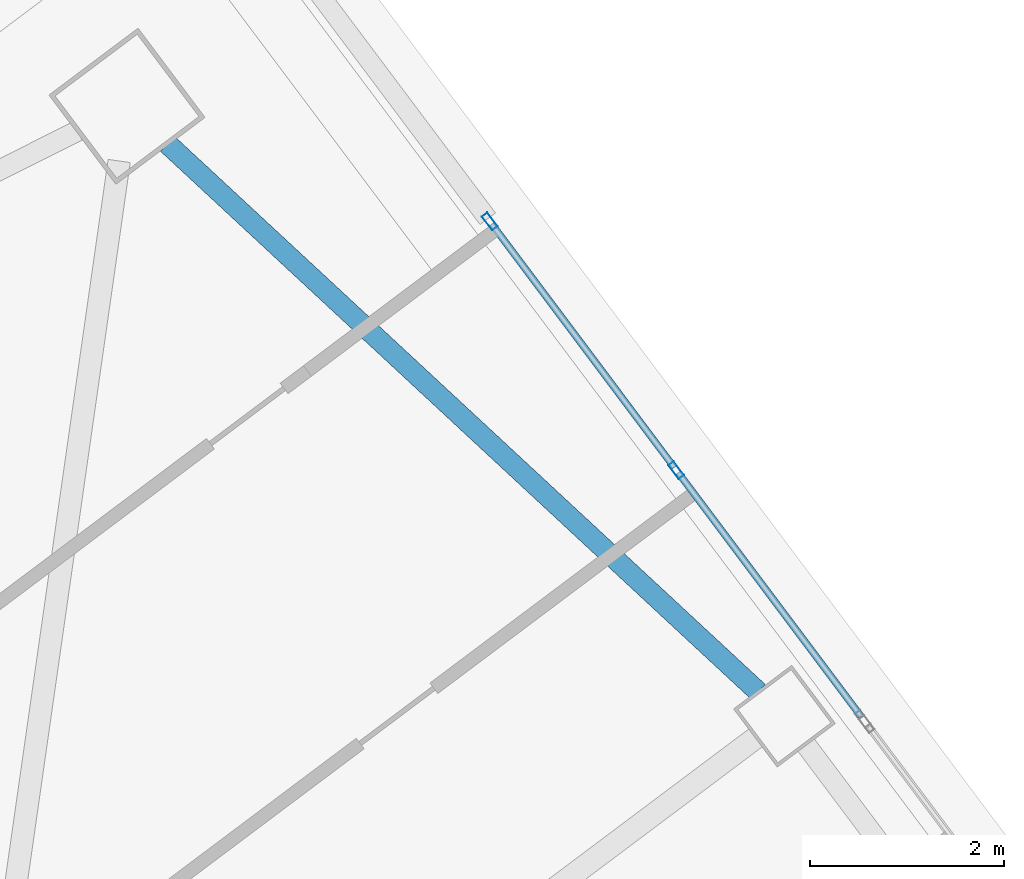
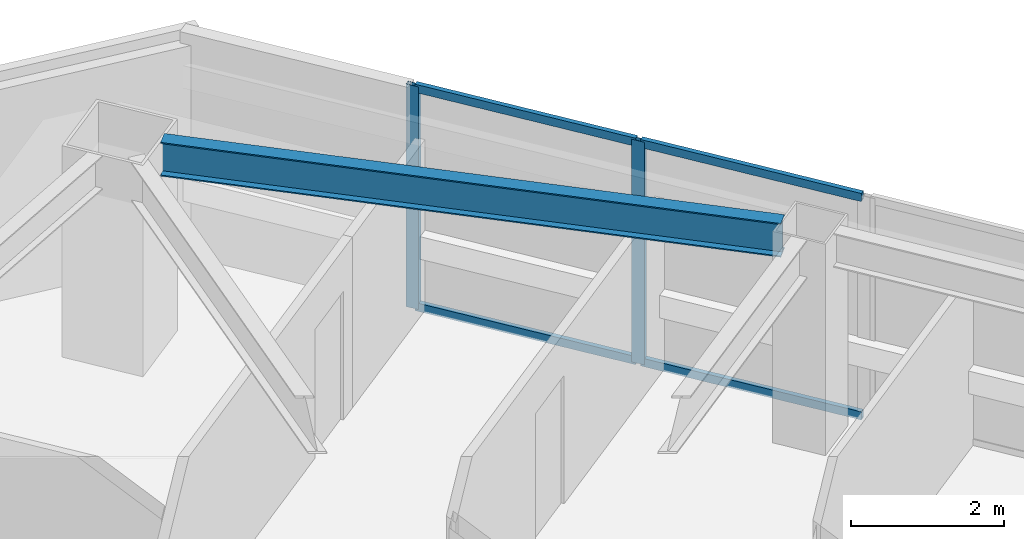
# One storey, part 30 of 43: 6 members, 1 beam, 1 element without a shape of its own.
"""IFC4 building model written with IfcOpenShell, lengths in metres."""

from ifc_helpers import new_model, si_unit, direction, frame, origin, origin_2d, place, context, subcontext, project, spatial, hollow_rectangle, i_section, extrude, material, material_profile, profile_set, type_object, element, aggregate, save


model = new_model("IFC4")

# Units and contexts
model_context = context("Model", 3, precision=1e-05, world=origin(), true_north=direction((0.0, 1.0)))
body_context = subcontext(model_context, "Body", "Model", "MODEL_VIEW")
ifc_project = project(units=[si_unit("LENGTHUNIT", "METRE"), si_unit("AREAUNIT", "SQUARE_METRE"), si_unit("VOLUMEUNIT", "CUBIC_METRE"), si_unit("PLANEANGLEUNIT", "RADIAN"), si_unit("MASSUNIT", "GRAM", prefix="KILO")], contexts=[model_context])

# Site, building, storey
site_placement = place(None, origin())
site = spatial("IfcSite", under=ifc_project, at=site_placement, CompositionType="ELEMENT")
building_placement = place(site_placement, origin())
building = spatial("IfcBuilding", under=site, at=building_placement, Name="Tashvorn Skyway Center", CompositionType="ELEMENT")
storey_placement = place(building_placement, frame((0.0, 0.0, 160.550048828125)))
storey = spatial("IfcBuildingStorey", under=building, at=storey_placement, Name="L43", CompositionType="ELEMENT", Elevation=160.550048828125)

# Beam
ifc_material_1 = material(Name="Steel ASTM A992 Grade 50", Category="steel")
ifc_material_profile_1 = material_profile(ifc_material_1, i_section(OverallWidth=0.2109375, OverallDepth=0.5390625, WebThickness=0.01171875, FlangeThickness=0.018798828125, at=origin_2d()), Name="W21X73")
ifc_profile_set_1 = profile_set([ifc_material_profile_1], Name="Steel ASTM A992 Grade 50")
beam_type = type_object("IfcBeamType", Name="BM-SPANDREL-W21X73", PredefinedType="SPANDREL", material=ifc_profile_set_1)
beam_placement = place(storey_placement, frame((123.40869140625, 46.26171875, 3.100341796875), z_axis=(-0.733101115618, 0.680119661736, 0.0), x_axis=(-0.680119661736, -0.733101115618, 0.0)))
element("IfcBeam", 1, at=beam_placement, inside=storey, type_object=beam_type, Name="Tower 2 L43 Spandrel Beam 06", PredefinedType="SPANDREL", context=body_context, shape_type="SweptSolid", body=[
    extrude(i_section(OverallWidth=0.2109375, OverallDepth=0.5390625, WebThickness=0.01171875, FlangeThickness=0.018798828125, at=origin_2d()), origin(), (0.0, 0.0, 1.0), 8.308349609375),
])

# Curtain wall, members
ifc_material_2 = material(Name="Thermally broken bronze-anodized aluminium 6063-T6", Category="aluminium")
curtain_wall_type = type_object("IfcCurtainWallType", Name="CW-CW-Z4", PredefinedType="NOTDEFINED", material=ifc_material_2)
curtain_wall_placement = place(storey_placement, origin())
curtain_wall = element("IfcCurtainWall", 2, at=curtain_wall_placement, inside=storey, type_object=curtain_wall_type, Name="Tower 2 L43 East Unitised Curtain Wall Glazing Group 1", PredefinedType="NOTDEFINED")
ifc_material_profile_2 = material_profile(ifc_material_2, hollow_rectangle(XDim=0.070068359375, YDim=0.179931640625, WallThickness=0.00390625, at=origin_2d()), Name="ALU-MULL-70x180")
ifc_profile_set_2 = profile_set([ifc_material_profile_2], Name="Thermally broken bronze-anodized aluminium 6063-T6")
member_type_1 = type_object("IfcMemberType", Name="CWM-CW-Z4", PredefinedType="MULLION", material=ifc_profile_set_2)
member_1_placement = place(storey_placement, frame((120.64111328125, 51.112060546875, 0.0), z_axis=(0.0, 0.0, 1.0), x_axis=(0.799999999998, 0.600000000002, 0.0)))
member_1 = element("IfcMember", 3, at=member_1_placement, type_object=member_type_1, Name="CW-Z4 mullion 1", PredefinedType="MULLION", context=body_context, shape_type="SweptSolid", body=[
    extrude(hollow_rectangle(XDim=0.070068359375, YDim=0.179931640625, WallThickness=0.00390625, at=origin_2d()), origin(), (0.0, 0.0, 1.0), 3.550048828125),
])
member_2_placement = place(storey_placement, frame((122.56396484375, 48.548095703125, 0.0), z_axis=(0.0, 0.0, 1.0), x_axis=(0.799999999998, 0.600000000002, 0.0)))
member_2 = element("IfcMember", 4, at=member_2_placement, type_object=member_type_1, Name="CW-Z4 mullion 2", PredefinedType="MULLION", context=body_context, shape_type="SweptSolid", body=[
    extrude(hollow_rectangle(XDim=0.070068359375, YDim=0.179931640625, WallThickness=0.00390625, at=origin_2d()), origin(), (0.0, 0.0, 1.0), 3.550048828125),
])
ifc_material_profile_3 = material_profile(ifc_material_2, hollow_rectangle(XDim=0.070068359375, YDim=0.1298828125, WallThickness=0.00390625, at=origin_2d()), Name="ALU-TRAN-70x130")
ifc_profile_set_3 = profile_set([ifc_material_profile_3], Name="Thermally broken bronze-anodized aluminium 6063-T6")
member_type_2 = type_object("IfcMemberType", Name="CWT-CW-Z4", PredefinedType="USERDEFINED", material=ifc_profile_set_3)
member_3_placement = place(storey_placement, frame((120.662109375, 51.083984375, 0.034912109375), z_axis=(0.599962618496, -0.800028034763, 0.0), x_axis=(0.800028034763, 0.599962618496, 0.0)))
member_3 = element("IfcMember", 5, at=member_3_placement, type_object=member_type_2, Name="CW-Z4 transom 1.1", ObjectType="TRANSOM", PredefinedType="USERDEFINED", context=body_context, shape_type="SweptSolid", body=[
    extrude(hollow_rectangle(XDim=0.070068359375, YDim=0.1298828125, WallThickness=0.00390625, at=origin_2d()), origin(), (0.0, 0.0, 1.0), 3.135009765625),
])
member_4_placement = place(storey_placement, frame((120.662109375, 51.083984375, 3.514892578125), z_axis=(0.599962618496, -0.800028034763, 0.0), x_axis=(0.800028034763, 0.599962618496, 0.0)))
member_4 = element("IfcMember", 6, at=member_4_placement, type_object=member_type_2, Name="CW-Z4 transom 1.2", ObjectType="TRANSOM", PredefinedType="USERDEFINED", context=body_context, shape_type="SweptSolid", body=[
    extrude(hollow_rectangle(XDim=0.070068359375, YDim=0.1298828125, WallThickness=0.00390625, at=origin_2d()), origin(), (0.0, 0.0, 1.0), 3.135009765625),
])
member_5_placement = place(storey_placement, frame((122.5849609375, 48.52001953125, 0.034912109375), z_axis=(0.600012459628, -0.799990655127, 0.0), x_axis=(0.799990655127, 0.600012459628, 0.0)))
member_5 = element("IfcMember", 7, at=member_5_placement, type_object=member_type_2, Name="CW-Z4 transom 2.1", ObjectType="TRANSOM", PredefinedType="USERDEFINED", context=body_context, shape_type="SweptSolid", body=[
    extrude(hollow_rectangle(XDim=0.070068359375, YDim=0.1298828125, WallThickness=0.00390625, at=origin_2d()), origin(), (0.0, 0.0, 1.0), 3.135009765625),
])
member_6_placement = place(storey_placement, frame((122.5849609375, 48.52001953125, 3.514892578125), z_axis=(0.600012459628, -0.799990655127, 0.0), x_axis=(0.799990655127, 0.600012459628, 0.0)))
member_6 = element("IfcMember", 8, at=member_6_placement, type_object=member_type_2, Name="CW-Z4 transom 2.2", ObjectType="TRANSOM", PredefinedType="USERDEFINED", context=body_context, shape_type="SweptSolid", body=[
    extrude(hollow_rectangle(XDim=0.070068359375, YDim=0.1298828125, WallThickness=0.00390625, at=origin_2d()), origin(), (0.0, 0.0, 1.0), 3.135009765625),
])
aggregate(curtain_wall, [member_1, member_2, member_3, member_4, member_5, member_6])

save(model, "model.ifc")
